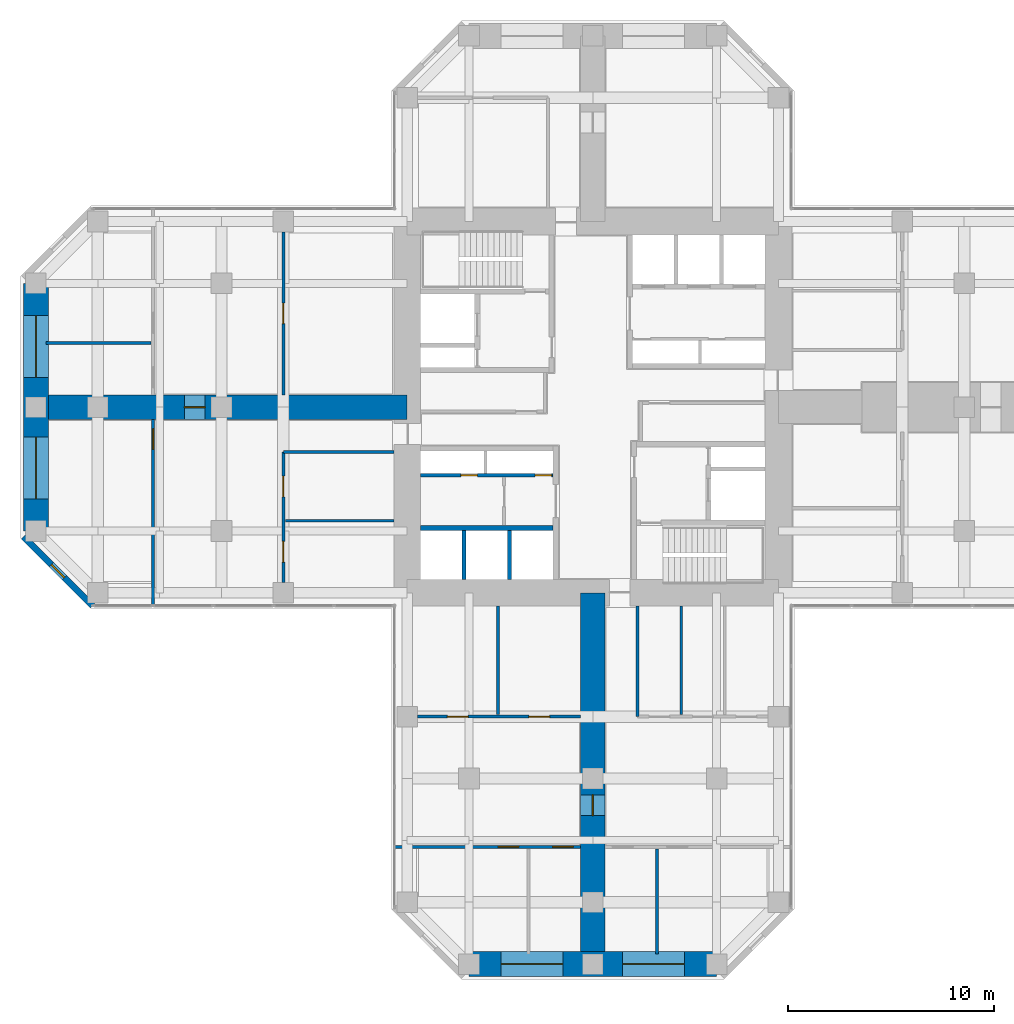
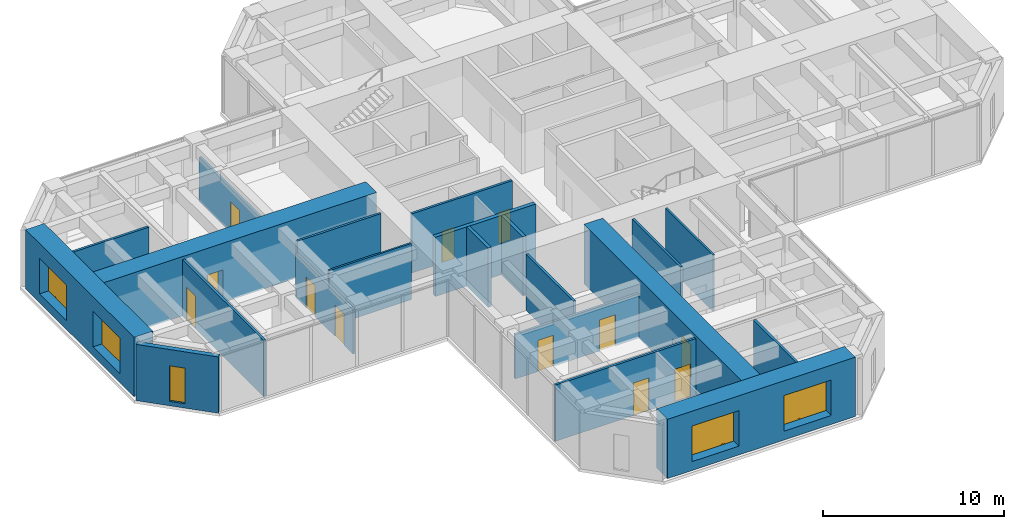
# One storey, part 8 of 13: 21 walls, 12 doors, 5 windows, 17 openings.
"""IFC4 building model written with IfcOpenShell, lengths in metres."""

from ifc_helpers import new_model, si_unit, direction, frame, frame_2d, origin, place, context, subcontext, project, spatial, rectangle, hollow_rectangle, extrude, material, layer, layer_set, constituent, constituent_set, type_object, element, fill, save


model = new_model("IFC4")

# Units and contexts
model_context = context("Model", 3, precision=1e-05, world=origin(), true_north=direction((0.0, 1.0)))
body_context = subcontext(model_context, "Body", "Model", "MODEL_VIEW")
ifc_project = project(units=[si_unit("LENGTHUNIT", "METRE"), si_unit("AREAUNIT", "SQUARE_METRE"), si_unit("VOLUMEUNIT", "CUBIC_METRE"), si_unit("PLANEANGLEUNIT", "RADIAN"), si_unit("MASSUNIT", "GRAM", prefix="KILO")], contexts=[model_context])

# Site, building, storey
site_placement = place(None, origin())
site = spatial("IfcSite", under=ifc_project, at=site_placement, CompositionType="ELEMENT")
building_placement = place(site_placement, origin())
building = spatial("IfcBuilding", under=site, at=building_placement, Name="Torre Cruceta", CompositionType="ELEMENT")
storey_placement = place(building_placement, frame((0.0, 0.0, 152.5)))
storey = spatial("IfcBuildingStorey", under=building, at=storey_placement, Name="L37", CompositionType="ELEMENT", Elevation=152.5)

# Wall
ifc_material_1 = material(Name="Concrete G60 (fck 60 MPa)", Category="concrete")
ifc_layer_1 = layer(ifc_material_1, 0.25)
ifc_layer_set_1 = layer_set([ifc_layer_1], Name="Concrete G60 (fck 60 MPa)")
wall_type_1 = type_object("IfcWallType", Name="CORE INNER WALL 250 G60", PredefinedType="SHEAR", material=ifc_layer_set_1)
wall_1_placement = place(storey_placement, frame((-1.925048828125, -5.85009765625, 0.0), z_axis=(0.0, 0.0, 1.0), x_axis=(-1.0, 0.0, 0.0)))
element("IfcWall", 1, at=wall_1_placement, inside=storey, type_object=wall_type_1, Name="CW4 L37 SW-LV", PredefinedType="SHEAR", context=body_context, shape_type="SweptSolid", body=[
    extrude(rectangle(XDim=6.425048828125, YDim=0.25, at=frame_2d((3.21240234375, 0.0))), origin(), (0.0, 0.0, 1.0), 4.0),
])

# Wall, opening, window
ifc_material_2 = material(Name="Concrete G30 (fck 30 MPa)", Category="concrete")
ifc_layer_2 = layer(ifc_material_2, 0.300048828125)
ifc_layer_set_2 = layer_set([ifc_layer_2], Name="Concrete G30 (fck 30 MPa)")
wall_type_2 = type_object("IfcWallType", Name="EXPOSED CONCRETE FACADE WALL 300", PredefinedType="SOLIDWALL", material=ifc_layer_set_2)
wall_2_placement = place(storey_placement, frame((-27.60009765625, -6.27685546875, 0.0), z_axis=(0.0, 0.0, 1.0), x_axis=(0.707106781187, -0.707106781187, 0.0)))
wall_2 = element("IfcWall", 2, at=wall_2_placement, inside=storey, type_object=wall_type_2, Name="EW1 facade wall L37 W chamfer 13", PredefinedType="SOLIDWALL", context=body_context, shape_type="SweptSolid", body=[
    extrude(rectangle(XDim=4.72802734375, YDim=0.300048828125, at=frame_2d((2.364013671875, 0.0))), origin(), (0.0, 0.0, 1.0), 3.800048828125),
])
opening_1_placement = place(wall_2_placement, frame((1.9140625, 0.0, 0.300048828125)))
opening_1 = element("IfcOpeningElement", 3, at=opening_1_placement, cuts=wall_2, Name="Opening WN5", PredefinedType="OPENING", context=body_context, shape_type="SweptSolid", body=[
    extrude(rectangle(XDim=0.89990234375, YDim=2.39990234375, at=frame_2d((0.449951171875, 1.199951171875))), frame((0.0, 0.159912109375, 0.0), z_axis=(0.0, -1.0, 0.0), x_axis=(1.0, 0.0, 0.0)), (0.0, 0.0, 1.0), 0.320068359375),
])
ifc_material_3 = material(Name="Aluminium window frame", Category="aluminium")
ifc_constituent_1 = constituent(ifc_material_3, Name="Frame")
ifc_material_4 = material(Name="Laminated insulating glass unit, low-iron clear", Category="glass")
ifc_constituent_2 = constituent(ifc_material_4, Name="Glazing")
ifc_constituent_set_1 = constituent_set(constituents=[ifc_constituent_1, ifc_constituent_2], Name="Aluminium window")
window_type_1 = type_object("IfcWindowType", Name="CHAMFER SLOT WINDOW 900X2400", PartitioningType="SINGLE_PANEL", PredefinedType="WINDOW", material=ifc_constituent_set_1)
window_1_placement = place(opening_1_placement, origin())
window_1 = element("IfcWindow", 4, at=window_1_placement, inside=storey, type_object=window_type_1, Name="WN5 L37 W 1", OverallHeight=2.39990234375, OverallWidth=0.89990234375, PartitioningType="SINGLE_PANEL", PredefinedType="WINDOW", context=body_context, shape_type="SweptSolid", body=[
    extrude(hollow_rectangle(XDim=0.89990234375, YDim=2.39990234375, WallThickness=0.06005859375, at=frame_2d((0.449951171875, 1.199951171875))), frame((0.0, 0.030029296875, 0.0), z_axis=(0.0, -1.0, 0.0), x_axis=(1.0, 0.0, 0.0)), (0.0, 0.0, 1.0), 0.06005859375),
    extrude(rectangle(XDim=0.77880859375, YDim=2.27880859375, at=frame_2d((0.449951171875, 1.199951171875))), frame((0.0, 0.030029296875, 0.0), z_axis=(0.0, -1.0, 0.0), x_axis=(1.0, 0.0, 0.0)), (0.0, 0.0, 1.0), 0.06005859375),
])
fill(opening_1, window_1)

# Walls
ifc_material_5 = material(Name="Concrete G35 (fck 35 MPa)", Category="concrete")
ifc_layer_3 = layer(ifc_material_5, 0.199951171875)
ifc_layer_set_3 = layer_set([ifc_layer_3], Name="Concrete G35 (fck 35 MPa)")
wall_type_3 = type_object("IfcWallType", Name="LIFT SHAFT WALL 200", PredefinedType="PARTITIONING", material=ifc_layer_set_3)
for number, where, z_axis, x_axis, name in (
    (5, (-4.033447265625, -5.97509765625, 0.0), (0.0, 0.0, 1.0), (0.0, -1.0, 0.0), "SW1 L37 SW-LS1"),
    (6, (-6.24169921875, -5.97509765625, 0.0), (0.0, 0.0, 1.0), (0.0, -1.0, 0.0), "SW1 L37 SW-LS2"),
):
    element("IfcWall", number, at=place(storey_placement, frame(where, z_axis=z_axis, x_axis=x_axis)), inside=storey, type_object=wall_type_3, Name=name, PredefinedType="PARTITIONING", context=body_context, shape_type="SweptSolid", body=[
        extrude(rectangle(XDim=2.375, YDim=0.199951171875, at=frame_2d((1.1875, 0.0))), origin(), (0.0, 0.0, 1.0), 4.0),
    ])

# Wall, openings, windows
ifc_material_6 = material(Name="Concrete G60 (fck 60 MPa)", Category="concrete")
ifc_layer_4 = layer(ifc_material_6, 1.199951171875)
ifc_layer_set_4 = layer_set([ifc_layer_4], Name="Concrete G60 (fck 60 MPa)")
wall_type_4 = type_object("IfcWallType", Name="NOSE WALL 1200 G60", PredefinedType="SHEAR", material=ifc_layer_set_4)
wall_3_placement = place(storey_placement, frame((-6.0, -27.0, 0.0), z_axis=(0.0, 0.0, 1.0), x_axis=(1.0, 0.0, 0.0)))
wall_3 = element("IfcWall", 7, at=wall_3_placement, inside=storey, type_object=wall_type_4, Name="NW1 nose wall L37 S", PredefinedType="SHEAR", context=body_context, shape_type="SweptSolid", body=[
    extrude(rectangle(XDim=12.0, YDim=1.199951171875, at=frame_2d((6.0, 0.0))), origin(), (0.0, 0.0, 1.0), 4.0),
])
opening_2_placement = place(wall_3_placement, frame((1.550048828125, 0.0, 0.60009765625)))
opening_2 = element("IfcOpeningElement", 8, at=opening_2_placement, cuts=wall_3, Name="Opening WN6", PredefinedType="OPENING", context=body_context, shape_type="SweptSolid", body=[
    extrude(rectangle(XDim=3.0, YDim=2.39990234375, at=frame_2d((1.5, 1.199951171875))), frame((0.0, 0.60986328125, 0.0), z_axis=(0.0, -1.0, 0.0), x_axis=(1.0, 0.0, 0.0)), (0.0, 0.0, 1.0), 1.219970703125),
])
opening_3_placement = place(wall_3_placement, frame((7.449951171875, 0.0, 0.60009765625)))
opening_3 = element("IfcOpeningElement", 9, at=opening_3_placement, cuts=wall_3, Name="Opening WN6", PredefinedType="OPENING", context=body_context, shape_type="SweptSolid", body=[
    extrude(rectangle(XDim=3.0, YDim=2.39990234375, at=frame_2d((1.5, 1.199951171875))), frame((0.0, 0.60986328125, 0.0), z_axis=(0.0, -1.0, 0.0), x_axis=(1.0, 0.0, 0.0)), (0.0, 0.0, 1.0), 1.219970703125),
])
ifc_material_7 = material(Name="Aluminium window frame", Category="aluminium")
ifc_constituent_3 = constituent(ifc_material_7, Name="Frame")
ifc_material_8 = material(Name="Laminated insulating glass unit, low-iron clear", Category="glass")
ifc_constituent_4 = constituent(ifc_material_8, Name="Glazing")
ifc_constituent_set_2 = constituent_set(constituents=[ifc_constituent_3, ifc_constituent_4], Name="Aluminium window")
window_type_2 = type_object("IfcWindowType", Name="NOSE WALL WINDOW 3000X2400", PartitioningType="SINGLE_PANEL", PredefinedType="WINDOW", material=ifc_constituent_set_2)
window_2_placement = place(opening_2_placement, origin())
window_2 = element("IfcWindow", 10, at=window_2_placement, inside=storey, type_object=window_type_2, Name="WN6 L37 S 1", OverallHeight=2.39990234375, OverallWidth=3.0, PartitioningType="SINGLE_PANEL", PredefinedType="WINDOW", context=body_context, shape_type="SweptSolid", body=[
    extrude(hollow_rectangle(XDim=3.0, YDim=2.39990234375, WallThickness=0.06005859375, at=frame_2d((1.5, 1.199951171875))), frame((0.0, 0.030029296875, 0.0), z_axis=(0.0, -1.0, 0.0), x_axis=(1.0, 0.0, 0.0)), (0.0, 0.0, 1.0), 0.06005859375),
    extrude(rectangle(XDim=2.87890625, YDim=2.27880859375, at=frame_2d((1.5, 1.199951171875))), frame((0.0, 0.030029296875, 0.0), z_axis=(0.0, -1.0, 0.0), x_axis=(1.0, 0.0, 0.0)), (0.0, 0.0, 1.0), 0.06005859375),
])
fill(opening_2, window_2)
window_3_placement = place(opening_3_placement, origin())
window_3 = element("IfcWindow", 11, at=window_3_placement, inside=storey, type_object=window_type_2, Name="WN6 L37 S 2", OverallHeight=2.39990234375, OverallWidth=3.0, PartitioningType="SINGLE_PANEL", PredefinedType="WINDOW", context=body_context, shape_type="SweptSolid", body=[
    extrude(hollow_rectangle(XDim=3.0, YDim=2.39990234375, WallThickness=0.06005859375, at=frame_2d((1.5, 1.199951171875))), frame((0.0, 0.030029296875, 0.0), z_axis=(0.0, -1.0, 0.0), x_axis=(1.0, 0.0, 0.0)), (0.0, 0.0, 1.0), 0.06005859375),
    extrude(rectangle(XDim=2.87890625, YDim=2.27880859375, at=frame_2d((1.5, 1.199951171875))), frame((0.0, 0.030029296875, 0.0), z_axis=(0.0, -1.0, 0.0), x_axis=(1.0, 0.0, 0.0)), (0.0, 0.0, 1.0), 0.06005859375),
])
fill(opening_3, window_3)

wall_4_placement = place(storey_placement, frame((-27.0, 6.0, 0.0), z_axis=(0.0, 0.0, 1.0), x_axis=(0.0, -1.0, 0.0)))
wall_4 = element("IfcWall", 12, at=wall_4_placement, inside=storey, type_object=wall_type_4, Name="NW1 nose wall L37 W", PredefinedType="SHEAR", context=body_context, shape_type="SweptSolid", body=[
    extrude(rectangle(XDim=12.0, YDim=1.199951171875, at=frame_2d((6.0, 0.0))), origin(), (0.0, 0.0, 1.0), 4.0),
])
opening_4_placement = place(wall_4_placement, frame((1.550048828125, 0.0, 0.60009765625)))
opening_4 = element("IfcOpeningElement", 13, at=opening_4_placement, cuts=wall_4, Name="Opening WN6", PredefinedType="OPENING", context=body_context, shape_type="SweptSolid", body=[
    extrude(rectangle(XDim=3.0, YDim=2.39990234375, at=frame_2d((1.5, 1.199951171875))), frame((0.0, 0.60986328125, 0.0), z_axis=(0.0, -1.0, 0.0), x_axis=(1.0, 0.0, 0.0)), (0.0, 0.0, 1.0), 1.219970703125),
])
opening_5_placement = place(wall_4_placement, frame((7.449951171875, 0.0, 0.60009765625)))
opening_5 = element("IfcOpeningElement", 14, at=opening_5_placement, cuts=wall_4, Name="Opening WN6", PredefinedType="OPENING", context=body_context, shape_type="SweptSolid", body=[
    extrude(rectangle(XDim=3.0, YDim=2.39990234375, at=frame_2d((1.5, 1.199951171875))), frame((0.0, 0.60986328125, 0.0), z_axis=(0.0, -1.0, 0.0), x_axis=(1.0, 0.0, 0.0)), (0.0, 0.0, 1.0), 1.219970703125),
])
window_4_placement = place(opening_4_placement, origin())
window_4 = element("IfcWindow", 15, at=window_4_placement, inside=storey, type_object=window_type_2, Name="WN6 L37 W 1", OverallHeight=2.39990234375, OverallWidth=3.0, PartitioningType="SINGLE_PANEL", PredefinedType="WINDOW", context=body_context, shape_type="SweptSolid", body=[
    extrude(hollow_rectangle(XDim=3.0, YDim=2.39990234375, WallThickness=0.06005859375, at=frame_2d((1.5, 1.199951171875))), frame((0.0, 0.030029296875, 0.0), z_axis=(0.0, -1.0, 0.0), x_axis=(1.0, 0.0, 0.0)), (0.0, 0.0, 1.0), 0.06005859375),
    extrude(rectangle(XDim=2.87890625, YDim=2.27880859375, at=frame_2d((1.5, 1.199951171875))), frame((0.0, 0.030029296875, 0.0), z_axis=(0.0, -1.0, 0.0), x_axis=(1.0, 0.0, 0.0)), (0.0, 0.0, 1.0), 0.06005859375),
])
fill(opening_4, window_4)
window_5_placement = place(opening_5_placement, origin())
window_5 = element("IfcWindow", 16, at=window_5_placement, inside=storey, type_object=window_type_2, Name="WN6 L37 W 2", OverallHeight=2.39990234375, OverallWidth=3.0, PartitioningType="SINGLE_PANEL", PredefinedType="WINDOW", context=body_context, shape_type="SweptSolid", body=[
    extrude(hollow_rectangle(XDim=3.0, YDim=2.39990234375, WallThickness=0.06005859375, at=frame_2d((1.5, 1.199951171875))), frame((0.0, 0.030029296875, 0.0), z_axis=(0.0, -1.0, 0.0), x_axis=(1.0, 0.0, 0.0)), (0.0, 0.0, 1.0), 0.06005859375),
    extrude(rectangle(XDim=2.87890625, YDim=2.27880859375, at=frame_2d((1.5, 1.199951171875))), frame((0.0, 0.030029296875, 0.0), z_axis=(0.0, -1.0, 0.0), x_axis=(1.0, 0.0, 0.0)), (0.0, 0.0, 1.0), 0.06005859375),
])
fill(opening_5, window_5)

# Wall
ifc_material_9 = material(Name="Plasterboard on steel studs", Category="steel")
ifc_layer_5 = layer(ifc_material_9, 0.14990234375)
ifc_layer_set_5 = layer_set([ifc_layer_5], Name="Plasterboard on steel studs")
wall_type_5 = type_object("IfcWallType", Name="PARTITION 150", PredefinedType="PARTITIONING", material=ifc_layer_set_5)
wall_5_placement = place(storey_placement, frame((2.175048828125, -9.64990234375, 0.0), z_axis=(0.0, 0.0, 1.0), x_axis=(0.0, -1.0, 0.0)))
element("IfcWall", 17, at=wall_5_placement, inside=storey, type_object=wall_type_5, Name="PT1 L37-S-BSL", PredefinedType="PARTITIONING", context=body_context, shape_type="SweptSolid", body=[
    extrude(rectangle(XDim=5.35009765625, YDim=0.14990234375, at=frame_2d((2.675048828125, 0.0))), origin(), (0.0, 0.0, 1.0), 3.800048828125),
])

# Wall, openings, doors
wall_6_placement = place(storey_placement, frame((-8.5, -15.0, 0.0), z_axis=(0.0, 0.0, 1.0), x_axis=(1.0, 0.0, 0.0)))
wall_6 = element("IfcWall", 18, at=wall_6_placement, inside=storey, type_object=wall_type_5, Name="PT1 L37-S-BFR", PredefinedType="PARTITIONING", context=body_context, shape_type="SweptSolid", body=[
    extrude(rectangle(XDim=7.89990234375, YDim=0.14990234375, at=frame_2d((3.949951171875, 0.0))), origin(), (0.0, 0.0, 1.0), 3.0),
])
opening_6_placement = place(wall_6_placement, frame((1.449951171875, 0.0, 0.0)))
opening_6 = element("IfcOpeningElement", 19, at=opening_6_placement, cuts=wall_6, Name="Opening D3", PredefinedType="OPENING", context=body_context, shape_type="SweptSolid", body=[
    extrude(rectangle(XDim=1.0, YDim=2.10009765625, at=frame_2d((0.5, 1.050048828125))), frame((0.0, 0.0849609375, 0.0), z_axis=(0.0, -1.0, 0.0), x_axis=(1.0, 0.0, 0.0)), (0.0, 0.0, 1.0), 0.169921875),
])
opening_7_placement = place(wall_6_placement, frame((5.39990234375, 0.0, 0.0)))
opening_7 = element("IfcOpeningElement", 20, at=opening_7_placement, cuts=wall_6, Name="Opening D3", PredefinedType="OPENING", context=body_context, shape_type="SweptSolid", body=[
    extrude(rectangle(XDim=1.0, YDim=2.10009765625, at=frame_2d((0.5, 1.050048828125))), frame((0.0, 0.0849609375, 0.0), z_axis=(0.0, -1.0, 0.0), x_axis=(1.0, 0.0, 0.0)), (0.0, 0.0, 1.0), 0.169921875),
])
ifc_material_10 = material(Name="Steel DX51D", Category="steel")
ifc_constituent_5 = constituent(ifc_material_10, Name="Leaf and frame")
ifc_material_11 = material(Name="Polyester powder coating", Category="paint")
ifc_constituent_6 = constituent(ifc_material_11, Name="Finish")
ifc_constituent_set_3 = constituent_set(constituents=[ifc_constituent_5, ifc_constituent_6], Name="Steel fire door")
door_type_1 = type_object("IfcDoorType", Name="FIRE DOOR 1000X2100", OperationType="SINGLE_SWING_LEFT", PredefinedType="DOOR", material=ifc_constituent_set_3)
door_1_placement = place(opening_6_placement, origin())
door_1 = element("IfcDoor", 21, at=door_1_placement, inside=storey, type_object=door_type_1, Name="D3 L37-S-BFR-D1", OperationType="SINGLE_SWING_RIGHT", OverallHeight=2.10009765625, OverallWidth=1.0, PredefinedType="DOOR", context=body_context, shape_type="SweptSolid", body=[
    extrude(rectangle(XDim=1.0, YDim=2.10009765625, at=frame_2d((0.5, 1.050048828125))), frame((0.0, 0.02490234375, 0.0), z_axis=(0.0, -1.0, 0.0), x_axis=(1.0, 0.0, 0.0)), (0.0, 0.0, 1.0), 0.050048828125),
])
fill(opening_6, door_1)
door_2_placement = place(opening_7_placement, origin())
door_2 = element("IfcDoor", 22, at=door_2_placement, inside=storey, type_object=door_type_1, Name="D3 L37-S-BFR-D2", OperationType="SINGLE_SWING_LEFT", OverallHeight=2.10009765625, OverallWidth=1.0, PredefinedType="DOOR", context=body_context, shape_type="SweptSolid", body=[
    extrude(rectangle(XDim=1.0, YDim=2.10009765625, at=frame_2d((0.5, 1.050048828125))), frame((0.0, 0.02490234375, 0.0), z_axis=(0.0, -1.0, 0.0), x_axis=(1.0, 0.0, 0.0)), (0.0, 0.0, 1.0), 0.050048828125),
])
fill(opening_7, door_2)

# Walls
wall_7_placement = place(storey_placement, frame((-4.60009765625, -9.64990234375, 0.0), z_axis=(0.0, 0.0, 1.0), x_axis=(0.0, -1.0, 0.0)))
element("IfcWall", 23, at=wall_7_placement, inside=storey, type_object=wall_type_5, Name="PT1 L37-S-BDR1", PredefinedType="PARTITIONING", context=body_context, shape_type="SweptSolid", body=[
    extrude(rectangle(XDim=5.25, YDim=0.14990234375, at=frame_2d((2.625, 0.0))), origin(), (0.0, 0.0, 1.0), 3.800048828125),
])
wall_8_placement = place(storey_placement, frame((3.117919921875, -21.419921875, 0.0), z_axis=(0.0, 0.0, 1.0), x_axis=(0.0, -1.0, 0.0)))
element("IfcWall", 24, at=wall_8_placement, inside=storey, type_object=wall_type_5, Name="PT1 L37-S-TDL", PredefinedType="PARTITIONING", context=body_context, shape_type="SweptSolid", body=[
    extrude(rectangle(XDim=5.080078125, YDim=0.14990234375, at=frame_2d((2.5400390625, 0.0))), origin(), (0.0, 0.0, 1.0), 3.800048828125),
])

# Wall, openings, doors
wall_9_placement = place(storey_placement, frame((-9.580078125, -21.320068359375, 0.0), z_axis=(0.0, 0.0, 1.0), x_axis=(1.0, 0.0, 0.0)))
wall_9 = element("IfcWall", 25, at=wall_9_placement, inside=storey, type_object=wall_type_5, Name="PT1 L37-S-TWR", PredefinedType="PARTITIONING", context=body_context, shape_type="SweptSolid", body=[
    extrude(rectangle(XDim=8.97998046875, YDim=0.14990234375, at=frame_2d((4.489990234375, 0.0))), origin(), (0.0, 0.0, 1.0), 3.800048828125),
])
opening_8_placement = place(wall_9_placement, frame((4.987060546875, 0.0, 0.0)))
opening_8 = element("IfcOpeningElement", 26, at=opening_8_placement, cuts=wall_9, Name="Opening D14", PredefinedType="OPENING", context=body_context, shape_type="SweptSolid", body=[
    extrude(rectangle(XDim=1.0, YDim=2.199951171875, at=frame_2d((0.5, 1.10009765625))), frame((0.0, 0.0849609375, 0.0), z_axis=(0.0, -1.0, 0.0), x_axis=(1.0, 0.0, 0.0)), (0.0, 0.0, 1.0), 0.169921875),
])
opening_9_placement = place(wall_9_placement, frame((7.6298828125, 0.0, 0.0)))
opening_9 = element("IfcOpeningElement", 27, at=opening_9_placement, cuts=wall_9, Name="Opening D14", PredefinedType="OPENING", context=body_context, shape_type="SweptSolid", body=[
    extrude(rectangle(XDim=1.0, YDim=2.199951171875, at=frame_2d((0.5, 1.10009765625))), frame((0.0, 0.0849609375, 0.0), z_axis=(0.0, -1.0, 0.0), x_axis=(1.0, 0.0, 0.0)), (0.0, 0.0, 1.0), 0.169921875),
])
ifc_material_12 = material(Name="Steel DX51D", Category="steel")
ifc_constituent_7 = constituent(ifc_material_12, Name="Leaf and frame")
ifc_material_13 = material(Name="Polyester powder coating", Category="paint")
ifc_constituent_8 = constituent(ifc_material_13, Name="Finish")
ifc_material_14 = material(Name="Fire-resisting glass", Category="glass")
ifc_constituent_9 = constituent(ifc_material_14, Name="Vision panel")
ifc_constituent_set_4 = constituent_set(constituents=[ifc_constituent_7, ifc_constituent_8, ifc_constituent_9], Name="Steel fire door with vision panel")
door_type_2 = type_object("IfcDoorType", Name="FIRE DOOR VISION PANEL 1000X2200", OperationType="SINGLE_SWING_RIGHT", PredefinedType="DOOR", material=ifc_constituent_set_4)
door_3_placement = place(opening_8_placement, frame((1.0, 0.0, 0.0), z_axis=(0.0, 0.0, 1.0), x_axis=(-1.0, 0.0, 0.0)))
door_3 = element("IfcDoor", 28, at=door_3_placement, inside=storey, type_object=door_type_2, Name="D14 L37-S-TWR-D1", OperationType="SINGLE_SWING_LEFT", OverallHeight=2.199951171875, OverallWidth=1.0, PredefinedType="DOOR", context=body_context, shape_type="SweptSolid", body=[
    extrude(rectangle(XDim=1.0, YDim=2.199951171875, at=frame_2d((0.5, 1.10009765625))), frame((0.0, 0.025146484375, 0.0), z_axis=(0.0, -1.0, 0.0), x_axis=(1.0, 0.0, 0.0)), (0.0, 0.0, 1.0), 0.050048828125),
])
fill(opening_8, door_3)
door_4_placement = place(opening_9_placement, frame((1.0, 0.0, 0.0), z_axis=(0.0, 0.0, 1.0), x_axis=(-1.0, 0.0, 0.0)))
door_4 = element("IfcDoor", 29, at=door_4_placement, inside=storey, type_object=door_type_2, Name="D14 L37-S-TWR-D2", OperationType="SINGLE_SWING_LEFT", OverallHeight=2.199951171875, OverallWidth=1.0, PredefinedType="DOOR", context=body_context, shape_type="SweptSolid", body=[
    extrude(rectangle(XDim=1.0, YDim=2.199951171875, at=frame_2d((0.5, 1.10009765625))), frame((0.0, 0.025146484375, 0.0), z_axis=(0.0, -1.0, 0.0), x_axis=(1.0, 0.0, 0.0)), (0.0, 0.0, 1.0), 0.050048828125),
])
fill(opening_9, door_4)

wall_10_placement = place(storey_placement, frame((-15.0, -2.175048828125, 0.0), z_axis=(0.0, 0.0, 1.0), x_axis=(0.0, -1.0, 0.0)))
wall_10 = element("IfcWall", 30, at=wall_10_placement, inside=storey, type_object=wall_type_5, Name="PT1 L37-W-BFL", PredefinedType="PARTITIONING", context=body_context, shape_type="SweptSolid", body=[
    extrude(rectangle(XDim=6.324951171875, YDim=0.14990234375, at=frame_2d((3.16259765625, 0.0))), origin(), (0.0, 0.0, 1.0), 3.0),
])
opening_10_placement = place(wall_10_placement, frame((1.169189453125, 0.0, 0.0)))
opening_10 = element("IfcOpeningElement", 31, at=opening_10_placement, cuts=wall_10, Name="Opening D3", PredefinedType="OPENING", context=body_context, shape_type="SweptSolid", body=[
    extrude(rectangle(XDim=1.0, YDim=2.10009765625, at=frame_2d((0.5, 1.050048828125))), frame((0.0, 0.0849609375, 0.0), z_axis=(0.0, -1.0, 0.0), x_axis=(1.0, 0.0, 0.0)), (0.0, 0.0, 1.0), 0.169921875),
])
opening_11_placement = place(wall_10_placement, frame((4.33154296875, 0.0, 0.0)))
opening_11 = element("IfcOpeningElement", 32, at=opening_11_placement, cuts=wall_10, Name="Opening D3", PredefinedType="OPENING", context=body_context, shape_type="SweptSolid", body=[
    extrude(rectangle(XDim=1.0, YDim=2.10009765625, at=frame_2d((0.5, 1.050048828125))), frame((0.0, 0.0849609375, 0.0), z_axis=(0.0, -1.0, 0.0), x_axis=(1.0, 0.0, 0.0)), (0.0, 0.0, 1.0), 0.169921875),
])
door_5_placement = place(opening_10_placement, origin())
door_5 = element("IfcDoor", 33, at=door_5_placement, inside=storey, type_object=door_type_1, Name="D3 L37-W-BFL-D1", OperationType="SINGLE_SWING_LEFT", OverallHeight=2.10009765625, OverallWidth=1.0, PredefinedType="DOOR", context=body_context, shape_type="SweptSolid", body=[
    extrude(rectangle(XDim=1.0, YDim=2.10009765625, at=frame_2d((0.5, 1.050048828125))), frame((0.0, 0.02490234375, 0.0), z_axis=(0.0, -1.0, 0.0), x_axis=(1.0, 0.0, 0.0)), (0.0, 0.0, 1.0), 0.050048828125),
])
fill(opening_10, door_5)
door_6_placement = place(opening_11_placement, origin())
door_6 = element("IfcDoor", 34, at=door_6_placement, inside=storey, type_object=door_type_1, Name="D3 L37-W-BFL-D2", OperationType="SINGLE_SWING_LEFT", OverallHeight=2.10009765625, OverallWidth=1.0, PredefinedType="DOOR", context=body_context, shape_type="SweptSolid", body=[
    extrude(rectangle(XDim=1.0, YDim=2.10009765625, at=frame_2d((0.5, 1.050048828125))), frame((0.0, 0.02490234375, 0.0), z_axis=(0.0, -1.0, 0.0), x_axis=(1.0, 0.0, 0.0)), (0.0, 0.0, 1.0), 0.050048828125),
])
fill(opening_11, door_6)

# Wall
wall_11_placement = place(storey_placement, frame((-9.64990234375, -2.175048828125, 0.0), z_axis=(0.0, 0.0, 1.0), x_axis=(-1.0, 0.0, 0.0)))
element("IfcWall", 35, at=wall_11_placement, inside=storey, type_object=wall_type_5, Name="PT1 L37-W-BSL", PredefinedType="PARTITIONING", context=body_context, shape_type="SweptSolid", body=[
    extrude(rectangle(XDim=5.35009765625, YDim=0.14990234375, at=frame_2d((2.675048828125, 0.0))), origin(), (0.0, 0.0, 1.0), 3.800048828125),
])

# Wall, opening, door
wall_12_placement = place(storey_placement, frame((-15.0, 8.5, 0.0), z_axis=(0.0, 0.0, 1.0), x_axis=(0.0, -1.0, 0.0)))
wall_12 = element("IfcWall", 36, at=wall_12_placement, inside=storey, type_object=wall_type_5, Name="PT1 L37-W-BFR", PredefinedType="PARTITIONING", context=body_context, shape_type="SweptSolid", body=[
    extrude(rectangle(XDim=7.89990234375, YDim=0.14990234375, at=frame_2d((3.949951171875, 0.0))), origin(), (0.0, 0.0, 1.0), 3.0),
])
opening_12_placement = place(wall_12_placement, frame((3.449951171875, 0.0, 0.0)))
opening_12 = element("IfcOpeningElement", 37, at=opening_12_placement, cuts=wall_12, Name="Opening D3", PredefinedType="OPENING", context=body_context, shape_type="SweptSolid", body=[
    extrude(rectangle(XDim=1.0, YDim=2.10009765625, at=frame_2d((0.5, 1.050048828125))), frame((0.0, 0.0849609375, 0.0), z_axis=(0.0, -1.0, 0.0), x_axis=(1.0, 0.0, 0.0)), (0.0, 0.0, 1.0), 0.169921875),
])
door_7_placement = place(opening_12_placement, origin())
door_7 = element("IfcDoor", 38, at=door_7_placement, inside=storey, type_object=door_type_1, Name="D3 L37-W-BFR-D1", OperationType="SINGLE_SWING_RIGHT", OverallHeight=2.10009765625, OverallWidth=1.0, PredefinedType="DOOR", context=body_context, shape_type="SweptSolid", body=[
    extrude(rectangle(XDim=1.0, YDim=2.10009765625, at=frame_2d((0.5, 1.050048828125))), frame((0.0, 0.02490234375, 0.0), z_axis=(0.0, -1.0, 0.0), x_axis=(1.0, 0.0, 0.0)), (0.0, 0.0, 1.0), 0.050048828125),
])
fill(opening_12, door_7)

wall_13_placement = place(storey_placement, frame((-21.320068359375, -0.60009765625, 0.0), z_axis=(0.0, 0.0, 1.0), x_axis=(0.0, -1.0, 0.0)))
wall_13 = element("IfcWall", 39, at=wall_13_placement, inside=storey, type_object=wall_type_5, Name="PT1 L37-W-TWL", PredefinedType="PARTITIONING", context=body_context, shape_type="SweptSolid", body=[
    extrude(rectangle(XDim=8.97998046875, YDim=0.14990234375, at=frame_2d((4.489990234375, 0.0))), origin(), (0.0, 0.0, 1.0), 3.800048828125),
])
opening_13_placement = place(wall_13_placement, frame((0.449951171875, 0.0, 0.0)))
opening_13 = element("IfcOpeningElement", 40, at=opening_13_placement, cuts=wall_13, Name="Opening D14", PredefinedType="OPENING", context=body_context, shape_type="SweptSolid", body=[
    extrude(rectangle(XDim=1.0, YDim=2.199951171875, at=frame_2d((0.5, 1.10009765625))), frame((0.0, 0.0849609375, 0.0), z_axis=(0.0, -1.0, 0.0), x_axis=(1.0, 0.0, 0.0)), (0.0, 0.0, 1.0), 0.169921875),
])
door_8_placement = place(opening_13_placement, frame((1.0, 0.0, 0.0), z_axis=(0.0, 0.0, 1.0), x_axis=(-1.0, 0.0, 0.0)))
door_8 = element("IfcDoor", 41, at=door_8_placement, inside=storey, type_object=door_type_2, Name="D14 L37-W-TWL-D1", OperationType="SINGLE_SWING_RIGHT", OverallHeight=2.199951171875, OverallWidth=1.0, PredefinedType="DOOR", context=body_context, shape_type="SweptSolid", body=[
    extrude(rectangle(XDim=1.0, YDim=2.199951171875, at=frame_2d((0.5, 1.10009765625))), frame((0.0, 0.025146484375, 0.0), z_axis=(0.0, -1.0, 0.0), x_axis=(1.0, 0.0, 0.0)), (0.0, 0.0, 1.0), 0.050048828125),
])
fill(opening_13, door_8)

# Wall
wall_14_placement = place(storey_placement, frame((-21.419921875, 3.117919921875, 0.0), z_axis=(0.0, 0.0, 1.0), x_axis=(-1.0, 0.0, 0.0)))
element("IfcWall", 42, at=wall_14_placement, inside=storey, type_object=wall_type_5, Name="PT1 L37-W-TDR", PredefinedType="PARTITIONING", context=body_context, shape_type="SweptSolid", body=[
    extrude(rectangle(XDim=5.080078125, YDim=0.14990234375, at=frame_2d((2.5400390625, 0.0))), origin(), (0.0, 0.0, 1.0), 3.800048828125),
])

# Wall, openings, doors
ifc_material_15 = material(Name="Concrete block masonry", Category="masonry")
ifc_layer_6 = layer(ifc_material_15, 0.14990234375)
ifc_layer_set_6 = layer_set([ifc_layer_6], Name="Concrete block masonry")
wall_type_6 = type_object("IfcWallType", Name="RISER WALL 150", PredefinedType="PARTITIONING", material=ifc_layer_set_6)
wall_15_placement = place(storey_placement, frame((-1.925048828125, -3.300048828125, 0.0), z_axis=(0.0, 0.0, 1.0), x_axis=(-1.0, 0.0, 0.0)))
wall_15 = element("IfcWall", 43, at=wall_15_placement, inside=storey, type_object=wall_type_6, Name="SW7 L37 SW-RV", PredefinedType="PARTITIONING", context=body_context, shape_type="SweptSolid", body=[
    extrude(rectangle(XDim=6.425048828125, YDim=0.14990234375, at=frame_2d((3.21240234375, 0.0))), origin(), (0.0, 0.0, 1.0), 4.0),
])
opening_14_placement = place(wall_15_placement, frame((0.074951171875, 0.0, 0.0)))
opening_14 = element("IfcOpeningElement", 44, at=opening_14_placement, cuts=wall_15, Name="Opening D5", PredefinedType="OPENING", context=body_context, shape_type="SweptSolid", body=[
    extrude(rectangle(XDim=0.800048828125, YDim=2.10009765625, at=frame_2d((0.39990234375, 1.050048828125))), frame((0.0, 0.0849609375, 0.0), z_axis=(0.0, -1.0, 0.0), x_axis=(1.0, 0.0, 0.0)), (0.0, 0.0, 1.0), 0.169921875),
])
opening_15_placement = place(wall_15_placement, frame((3.675048828125, 0.0, 0.0)))
opening_15 = element("IfcOpeningElement", 45, at=opening_15_placement, cuts=wall_15, Name="Opening D5", PredefinedType="OPENING", context=body_context, shape_type="SweptSolid", body=[
    extrude(rectangle(XDim=0.800048828125, YDim=2.10009765625, at=frame_2d((0.39990234375, 1.050048828125))), frame((0.0, 0.0849609375, 0.0), z_axis=(0.0, -1.0, 0.0), x_axis=(1.0, 0.0, 0.0)), (0.0, 0.0, 1.0), 0.169921875),
])
ifc_material_16 = material(Name="Steel DX51D", Category="steel")
ifc_constituent_10 = constituent(ifc_material_16, Name="Leaf and frame")
ifc_material_17 = material(Name="Polyester powder coating", Category="paint")
ifc_constituent_11 = constituent(ifc_material_17, Name="Finish")
ifc_constituent_set_5 = constituent_set(constituents=[ifc_constituent_10, ifc_constituent_11], Name="Steel fire door")
door_type_3 = type_object("IfcDoorType", Name="RISER ACCESS DOOR 800X2100", OperationType="SINGLE_SWING_LEFT", PredefinedType="DOOR", material=ifc_constituent_set_5)
door_9_placement = place(opening_14_placement, frame((0.800048828125, 0.0, 0.0), z_axis=(0.0, 0.0, 1.0), x_axis=(-1.0, 0.0, 0.0)))
door_9 = element("IfcDoor", 46, at=door_9_placement, inside=storey, type_object=door_type_3, Name="D5 L37 SW-RISER1", OperationType="SINGLE_SWING_RIGHT", OverallHeight=2.10009765625, OverallWidth=0.800048828125, PredefinedType="DOOR", context=body_context, shape_type="SweptSolid", body=[
    extrude(rectangle(XDim=0.800048828125, YDim=2.10009765625, at=frame_2d((0.400146484375, 1.050048828125))), frame((0.0, 0.025146484375, 0.0), z_axis=(0.0, -1.0, 0.0), x_axis=(1.0, 0.0, 0.0)), (0.0, 0.0, 1.0), 0.050048828125),
])
fill(opening_14, door_9)
door_10_placement = place(opening_15_placement, frame((0.800048828125, 0.0, 0.0), z_axis=(0.0, 0.0, 1.0), x_axis=(-1.0, 0.0, 0.0)))
door_10 = element("IfcDoor", 47, at=door_10_placement, inside=storey, type_object=door_type_3, Name="D5 L37 SW-RISER2", OperationType="SINGLE_SWING_RIGHT", OverallHeight=2.10009765625, OverallWidth=0.800048828125, PredefinedType="DOOR", context=body_context, shape_type="SweptSolid", body=[
    extrude(rectangle(XDim=0.800048828125, YDim=2.10009765625, at=frame_2d((0.400146484375, 1.050048828125))), frame((0.0, 0.025146484375, 0.0), z_axis=(0.0, -1.0, 0.0), x_axis=(1.0, 0.0, 0.0)), (0.0, 0.0, 1.0), 0.050048828125),
])
fill(opening_15, door_10)

# Wall, opening, door
ifc_material_18 = material(Name="Concrete G60 (fck 60 MPa)", Category="concrete")
ifc_layer_7 = layer(ifc_material_18, 1.199951171875)
ifc_layer_set_7 = layer_set([ifc_layer_7], Name="Concrete G60 (fck 60 MPa)")
wall_type_7 = type_object("IfcWallType", Name="SPINE WALL 1200 G60", PredefinedType="SHEAR", material=ifc_layer_set_7)
wall_16_placement = place(storey_placement, frame((0.0, -9.0, 0.0), z_axis=(0.0, 0.0, 1.0), x_axis=(0.0, -1.0, 0.0)))
wall_16 = element("IfcWall", 48, at=wall_16_placement, inside=storey, type_object=wall_type_7, Name="SW3 spine wall L37 S", PredefinedType="SHEAR", context=body_context, shape_type="SweptSolid", body=[
    extrude(rectangle(XDim=18.0, YDim=1.199951171875, at=frame_2d((9.0, 0.0))), origin(), (0.0, 0.0, 1.0), 4.0),
])
opening_16_placement = place(wall_16_placement, frame((9.800048828125, 0.0, 0.0)))
opening_16 = element("IfcOpeningElement", 49, at=opening_16_placement, cuts=wall_16, Name="Opening D14", PredefinedType="OPENING", context=body_context, shape_type="SweptSolid", body=[
    extrude(rectangle(XDim=1.0, YDim=2.199951171875, at=frame_2d((0.5, 1.10009765625))), frame((0.0, 0.60986328125, 0.0), z_axis=(0.0, -1.0, 0.0), x_axis=(1.0, 0.0, 0.0)), (0.0, 0.0, 1.0), 1.219970703125),
])
door_11_placement = place(opening_16_placement, frame((1.0, 0.0, 0.0), z_axis=(0.0, 0.0, 1.0), x_axis=(-1.0, 0.0, 0.0)))
door_11 = element("IfcDoor", 50, at=door_11_placement, inside=storey, type_object=door_type_2, Name="D14 L37-S-SP1", OperationType="SINGLE_SWING_LEFT", OverallHeight=2.199951171875, OverallWidth=1.0, PredefinedType="DOOR", context=body_context, shape_type="SweptSolid", body=[
    extrude(rectangle(XDim=1.0, YDim=2.199951171875, at=frame_2d((0.5, 1.10009765625))), frame((0.0, 0.025146484375, 0.0), z_axis=(0.0, -1.0, 0.0), x_axis=(1.0, 0.0, 0.0)), (0.0, 0.0, 1.0), 0.050048828125),
])
fill(opening_16, door_11)

wall_17_placement = place(storey_placement, frame((-9.0, 0.0, 0.0), z_axis=(0.0, 0.0, 1.0), x_axis=(-1.0, 0.0, 0.0)))
wall_17 = element("IfcWall", 51, at=wall_17_placement, inside=storey, type_object=wall_type_7, Name="SW3 spine wall L37 W", PredefinedType="SHEAR", context=body_context, shape_type="SweptSolid", body=[
    extrude(rectangle(XDim=18.0, YDim=1.199951171875, at=frame_2d((9.0, 0.0))), origin(), (0.0, 0.0, 1.0), 4.0),
])
opening_17_placement = place(wall_17_placement, frame((9.800048828125, 0.0, 0.0)))
opening_17 = element("IfcOpeningElement", 52, at=opening_17_placement, cuts=wall_17, Name="Opening D14", PredefinedType="OPENING", context=body_context, shape_type="SweptSolid", body=[
    extrude(rectangle(XDim=1.0, YDim=2.199951171875, at=frame_2d((0.5, 1.10009765625))), frame((0.0, 0.60986328125, 0.0), z_axis=(0.0, -1.0, 0.0), x_axis=(1.0, 0.0, 0.0)), (0.0, 0.0, 1.0), 1.219970703125),
])
door_12_placement = place(opening_17_placement, frame((1.0, 0.0, 0.0), z_axis=(0.0, 0.0, 1.0), x_axis=(-1.0, 0.0, 0.0)))
door_12 = element("IfcDoor", 53, at=door_12_placement, inside=storey, type_object=door_type_2, Name="D14 L37-W-SP1", OperationType="SINGLE_SWING_LEFT", OverallHeight=2.199951171875, OverallWidth=1.0, PredefinedType="DOOR", context=body_context, shape_type="SweptSolid", body=[
    extrude(rectangle(XDim=1.0, YDim=2.199951171875, at=frame_2d((0.5, 1.10009765625))), frame((0.0, 0.025146484375, 0.0), z_axis=(0.0, -1.0, 0.0), x_axis=(1.0, 0.0, 0.0)), (0.0, 0.0, 1.0), 0.050048828125),
])
fill(opening_17, door_12)

# Walls
ifc_material_19 = material(Name="Plasterboard on steel studs", Category="steel")
ifc_layer_8 = layer(ifc_material_19, 0.1201171875)
ifc_layer_set_8 = layer_set([ifc_layer_8], Name="Plasterboard on steel studs")
wall_type_8 = type_object("IfcWallType", Name="WC PARTITION 120", PredefinedType="PLUMBINGWALL", material=ifc_layer_set_8)
for number, where, z_axis, x_axis, name in (
    (54, (4.283447265625, -9.64990234375, 0.0), (0.0, 0.0, 1.0), (0.0, -1.0, 0.0), "PT5 L37-S-BDL1"),
    (55, (-9.64990234375, -5.51318359375, 0.0), (0.0, 0.0, 1.0), (-1.0, 0.0, 0.0), "PT5 L37-W-BDL1"),
):
    element("IfcWall", number, at=place(storey_placement, frame(where, z_axis=z_axis, x_axis=x_axis)), inside=storey, type_object=wall_type_8, Name=name, PredefinedType="PLUMBINGWALL", context=body_context, shape_type="SweptSolid", body=[
        extrude(rectangle(XDim=5.25, YDim=0.1201171875, at=frame_2d((2.625, 0.0))), origin(), (0.0, 0.0, 1.0), 3.800048828125),
    ])

save(model, "model.ifc")
